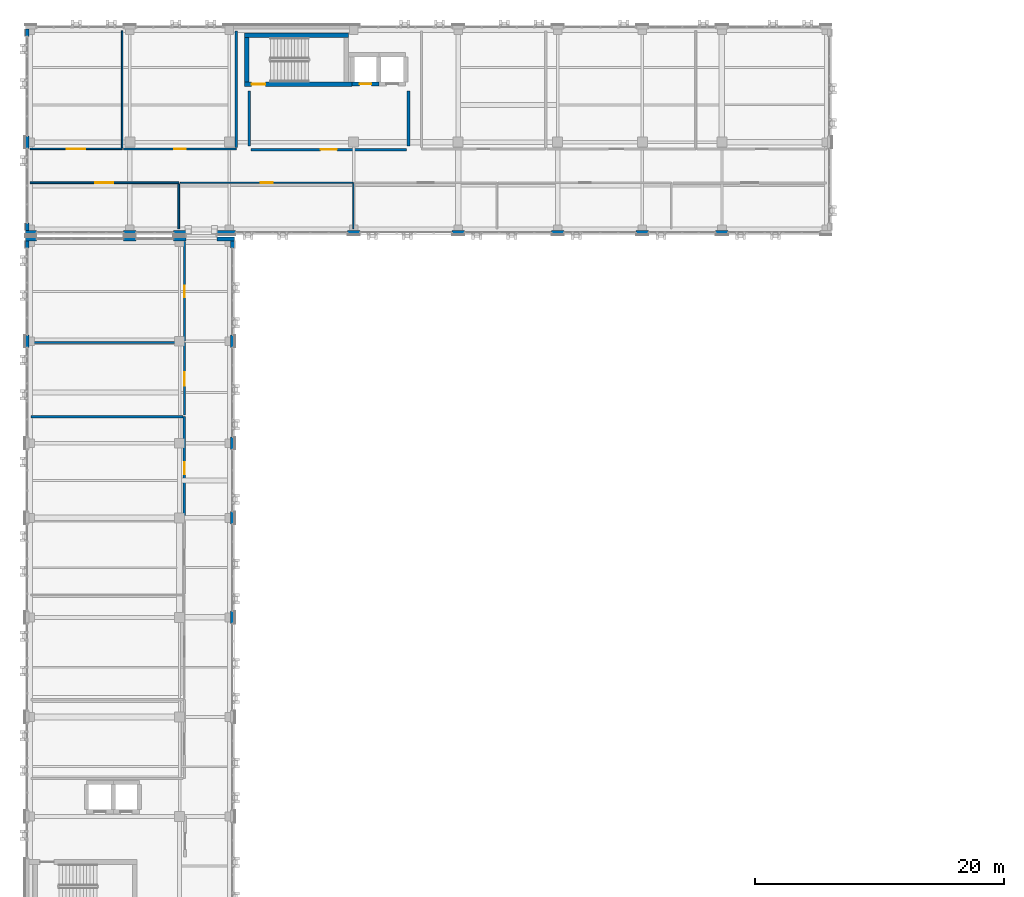
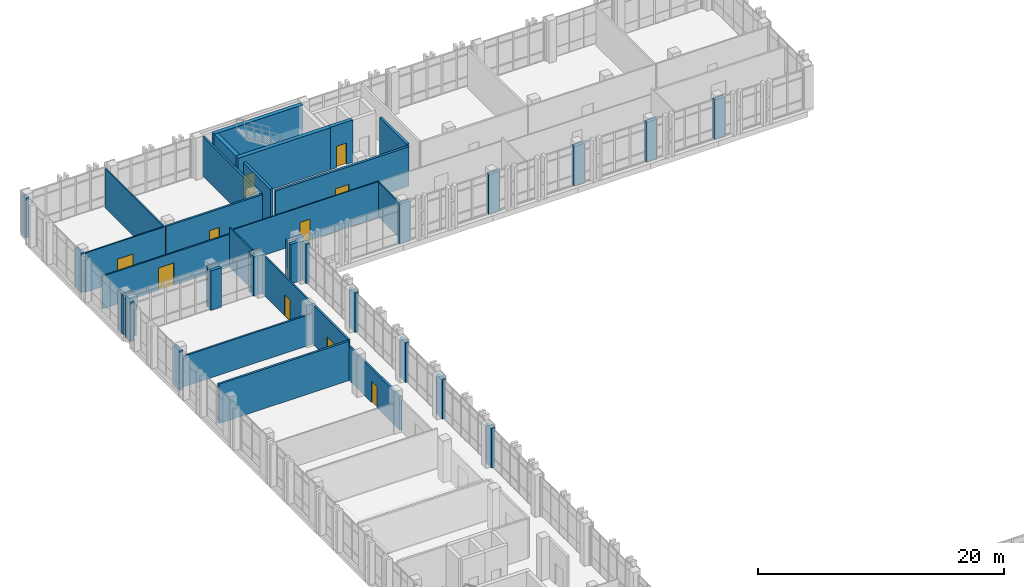
# One storey, part 159 of 193: 43 walls, 10 doors, 10 openings.
"""IFC4 building model written with IfcOpenShell, lengths in metres."""

from ifc_helpers import new_model, si_unit, direction, frame, frame_2d, origin, place, context, subcontext, project, spatial, rectangle, extrude, material, layer, layer_set, type_object, element, fill, save


model = new_model("IFC4")

# Units and contexts
model_context = context("Model", 3, precision=1e-05, world=origin(), true_north=direction((0.0, 1.0)))
body_context = subcontext(model_context, "Body", "Model", "MODEL_VIEW")
ifc_project = project(units=[si_unit("LENGTHUNIT", "METRE"), si_unit("AREAUNIT", "SQUARE_METRE"), si_unit("VOLUMEUNIT", "CUBIC_METRE"), si_unit("PLANEANGLEUNIT", "RADIAN"), si_unit("MASSUNIT", "GRAM", prefix="KILO")], contexts=[model_context])

# Site, building, storey
site_placement = place(None, origin())
site = spatial("IfcSite", under=ifc_project, at=site_placement, CompositionType="ELEMENT")
building_placement = place(site_placement, origin())
building = spatial("IfcBuilding", under=site, at=building_placement, Name="Qalavern Law Courts", CompositionType="ELEMENT")
storey_placement = place(building_placement, frame((0.0, 0.0, 10.199951171875)))
storey = spatial("IfcBuildingStorey", under=building, at=storey_placement, Name="L02", CompositionType="ELEMENT", Elevation=10.199951171875)

# Walls
ifc_material_1 = material(Name="Concrete C40/50", Category="concrete")
ifc_layer_1 = layer(ifc_material_1, 0.31005859375)
ifc_layer_set_1 = layer_set([ifc_layer_1], Name="Concrete C40/50")
wall_type_1 = type_object("IfcWallType", Name="ENV-EW-310", PredefinedType="SOLIDWALL", material=ifc_layer_set_1)
for number, where, z_axis, x_axis, name in (
    (1, (18.64501953125, 64.89990234375, 0.0), (0.0, 0.0, 1.0), (0.0, 1.0, 0.0), "V3 exterior pier wall L02 east 4"),
    (2, (18.64501953125, 72.89990234375, 0.0), (0.0, 0.0, 1.0), (0.0, 1.0, 0.0), "V3 exterior pier wall L02 east 5"),
    (3, (18.64501953125, 78.89990234375, 0.0), (0.0, 0.0, 1.0), (0.0, 1.0, 0.0), "V3 exterior pier wall L02 east 6"),
    (4, (18.64501953125, 87.10009765625, 0.0), (0.0, 0.0, 1.0), (0.0, 1.0, 0.0), "V3 exterior pier wall L02 east 7"),
):
    element("IfcWall", number, at=place(storey_placement, frame(where, z_axis=z_axis, x_axis=x_axis)), inside=storey, type_object=wall_type_1, Name=name, PredefinedType="SOLIDWALL", context=body_context, shape_type="SweptSolid", body=[
        extrude(rectangle(XDim=1.0, YDim=0.31005859375, at=frame_2d((0.5, 0.0))), origin(), (0.0, 0.0, 1.0), 3.9150390625),
    ])
wall_1_placement = place(storey_placement, frame((18.64501953125, 95.080078125, 0.0), z_axis=(0.0, 0.0, 1.0), x_axis=(0.0, 1.0, 0.0)))
element("IfcWall", 5, at=wall_1_placement, inside=storey, type_object=wall_type_1, Name="V3 exterior pier wall L02 east 8", PredefinedType="SOLIDWALL", context=body_context, shape_type="SweptSolid", body=[
    extrude(rectangle(XDim=0.594970703125, YDim=0.31005859375, at=frame_2d((0.29736328125, 0.0))), origin(), (0.0, 0.0, 1.0), 3.9150390625),
])
wall_2_placement = place(storey_placement, frame((18.800048828125, 95.824951171875, 0.0), z_axis=(0.0, 0.0, 1.0), x_axis=(-1.0, 0.0, 0.0)))
element("IfcWall", 6, at=wall_2_placement, inside=storey, type_object=wall_type_1, Name="V3 exterior wall L02 north 1", PredefinedType="SOLIDWALL", context=body_context, shape_type="SweptSolid", body=[
    extrude(rectangle(XDim=1.400146484375, YDim=0.31005859375, at=frame_2d((0.7001953125, 0.0))), origin(), (0.0, 0.0, 1.0), 3.9150390625),
])
for number, where, z_axis, x_axis, name in (
    (7, (14.89990234375, 95.824951171875, 0.0), (0.0, 0.0, 1.0), (-1.0, 0.0, 0.0), "V3 exterior pier wall L02 north 1"),
    (8, (10.89990234375, 95.824951171875, 0.0), (0.0, 0.0, 1.0), (-1.0, 0.0, 0.0), "V3 exterior pier wall L02 north 2"),
):
    element("IfcWall", number, at=place(storey_placement, frame(where, z_axis=z_axis, x_axis=x_axis)), inside=storey, type_object=wall_type_1, Name=name, PredefinedType="SOLIDWALL", context=body_context, shape_type="SweptSolid", body=[
        extrude(rectangle(XDim=1.0, YDim=0.31005859375, at=frame_2d((0.5, 0.0))), origin(), (0.0, 0.0, 1.0), 3.9150390625),
    ])
wall_3_placement = place(storey_placement, frame((2.89990234375, 95.824951171875, 0.0), z_axis=(0.0, 0.0, 1.0), x_axis=(-1.0, 0.0, 0.0)))
element("IfcWall", 9, at=wall_3_placement, inside=storey, type_object=wall_type_1, Name="V3 exterior pier wall L02 north 3", PredefinedType="SOLIDWALL", context=body_context, shape_type="SweptSolid", body=[
    extrude(rectangle(XDim=0.89990234375, YDim=0.31005859375, at=frame_2d((0.449951171875, 0.0))), origin(), (0.0, 0.0, 1.0), 3.9150390625),
])
wall_4_placement = place(storey_placement, frame((2.155029296875, 95.675048828125, 0.0), z_axis=(0.0, 0.0, 1.0), x_axis=(0.0, -1.0, 0.0)))
element("IfcWall", 10, at=wall_4_placement, inside=storey, type_object=wall_type_1, Name="V3 exterior pier wall L02 west 1", PredefinedType="SOLIDWALL", context=body_context, shape_type="SweptSolid", body=[
    extrude(rectangle(XDim=0.594970703125, YDim=0.31005859375, at=frame_2d((0.29736328125, 0.0))), origin(), (0.0, 0.0, 1.0), 3.9150390625),
])
wall_5_placement = place(storey_placement, frame((2.155029296875, 88.10009765625, 0.0), z_axis=(0.0, 0.0, 1.0), x_axis=(0.0, -1.0, 0.0)))
element("IfcWall", 11, at=wall_5_placement, inside=storey, type_object=wall_type_1, Name="V3 exterior pier wall L02 west 2", PredefinedType="SOLIDWALL", context=body_context, shape_type="SweptSolid", body=[
    extrude(rectangle(XDim=1.0, YDim=0.31005859375, at=frame_2d((0.5, 0.0))), origin(), (0.0, 0.0, 1.0), 3.9150390625),
])
wall_6_placement = place(storey_placement, frame((2.0, 96.35498046875, 0.0), z_axis=(0.0, 0.0, 1.0), x_axis=(1.0, 0.0, 0.0)))
element("IfcWall", 12, at=wall_6_placement, inside=storey, type_object=wall_type_1, Name="V5 exterior pier wall L02 south 1", PredefinedType="SOLIDWALL", context=body_context, shape_type="SweptSolid", body=[
    extrude(rectangle(XDim=0.89990234375, YDim=0.31005859375, at=frame_2d((0.449951171875, 0.0))), origin(), (0.0, 0.0, 1.0), 3.9150390625),
])
for number, where, z_axis, x_axis, name in (
    (13, (9.89990234375, 96.35498046875, 0.0), (0.0, 0.0, 1.0), (1.0, 0.0, 0.0), "V5 exterior pier wall L02 south 2"),
    (14, (13.89990234375, 96.35498046875, 0.0), (0.0, 0.0, 1.0), (1.0, 0.0, 0.0), "V5 exterior pier wall L02 south 3"),
):
    element("IfcWall", number, at=place(storey_placement, frame(where, z_axis=z_axis, x_axis=x_axis)), inside=storey, type_object=wall_type_1, Name=name, PredefinedType="SOLIDWALL", context=body_context, shape_type="SweptSolid", body=[
        extrude(rectangle(XDim=1.0, YDim=0.31005859375, at=frame_2d((0.5, 0.0))), origin(), (0.0, 0.0, 1.0), 3.9150390625),
    ])
wall_7_placement = place(storey_placement, frame((17.39990234375, 96.35498046875, 0.0), z_axis=(0.0, 0.0, 1.0), x_axis=(1.0, 0.0, 0.0)))
element("IfcWall", 15, at=wall_7_placement, inside=storey, type_object=wall_type_1, Name="V5 exterior pier wall L02 south 1", PredefinedType="SOLIDWALL", context=body_context, shape_type="SweptSolid", body=[
    extrude(rectangle(XDim=1.5, YDim=0.31005859375, at=frame_2d((0.75, 0.0))), origin(), (0.0, 0.0, 1.0), 3.9150390625),
])
for number, where, z_axis, x_axis, name in (
    (16, (27.89990234375, 96.35498046875, 0.0), (0.0, 0.0, 1.0), (1.0, 0.0, 0.0), "V5 exterior pier wall L02 south 2"),
    (17, (36.300048828125, 96.35498046875, 0.0), (0.0, 0.0, 1.0), (1.0, 0.0, 0.0), "V5 exterior pier wall L02 south 3"),
    (18, (44.300048828125, 96.35498046875, 0.0), (0.0, 0.0, 1.0), (1.0, 0.0, 0.0), "V5 exterior pier wall L02 south 4"),
    (19, (51.10009765625, 96.35498046875, 0.0), (0.0, 0.0, 1.0), (1.0, 0.0, 0.0), "V5 exterior pier wall L02 south 5"),
    (20, (57.5, 96.35498046875, 0.0), (0.0, 0.0, 1.0), (1.0, 0.0, 0.0), "V5 exterior pier wall L02 south 6"),
):
    element("IfcWall", number, at=place(storey_placement, frame(where, z_axis=z_axis, x_axis=x_axis)), inside=storey, type_object=wall_type_1, Name=name, PredefinedType="SOLIDWALL", context=body_context, shape_type="SweptSolid", body=[
        extrude(rectangle(XDim=1.0, YDim=0.31005859375, at=frame_2d((0.5, 0.0))), origin(), (0.0, 0.0, 1.0), 3.9150390625),
    ])
wall_8_placement = place(storey_placement, frame((2.155029296875, 112.695068359375, 0.0), z_axis=(0.0, 0.0, 1.0), x_axis=(0.0, -1.0, 0.0)))
element("IfcWall", 21, at=wall_8_placement, inside=storey, type_object=wall_type_1, Name="V5 exterior pier wall L02 west 1", PredefinedType="SOLIDWALL", context=body_context, shape_type="SweptSolid", body=[
    extrude(rectangle(XDim=0.594970703125, YDim=0.31005859375, at=frame_2d((0.29736328125, 0.0))), origin(), (0.0, 0.0, 1.0), 3.9150390625),
])
wall_9_placement = place(storey_placement, frame((2.155029296875, 104.10009765625, 0.0), z_axis=(0.0, 0.0, 1.0), x_axis=(0.0, -1.0, 0.0)))
element("IfcWall", 22, at=wall_9_placement, inside=storey, type_object=wall_type_1, Name="V5 exterior pier wall L02 west 2", PredefinedType="SOLIDWALL", context=body_context, shape_type="SweptSolid", body=[
    extrude(rectangle(XDim=1.0, YDim=0.31005859375, at=frame_2d((0.5, 0.0))), origin(), (0.0, 0.0, 1.0), 3.9150390625),
])
wall_10_placement = place(storey_placement, frame((2.155029296875, 97.10009765625, 0.0), z_axis=(0.0, 0.0, 1.0), x_axis=(0.0, -1.0, 0.0)))
element("IfcWall", 23, at=wall_10_placement, inside=storey, type_object=wall_type_1, Name="V5 exterior pier wall L02 west 3", PredefinedType="SOLIDWALL", context=body_context, shape_type="SweptSolid", body=[
    extrude(rectangle(XDim=0.59521484375, YDim=0.31005859375, at=frame_2d((0.297607421875, 0.0))), origin(), (0.0, 0.0, 1.0), 3.9150390625),
])

# Wall, opening, door
ifc_material_2 = material(Name="Concrete C45/55", Category="concrete")
ifc_layer_2 = layer(ifc_material_2, 0.375)
ifc_layer_set_2 = layer_set([ifc_layer_2], Name="Concrete C45/55")
wall_type_2 = type_object("IfcWallType", Name="INT-CW-375", PredefinedType="SHEAR", material=ifc_layer_set_2)
wall_11_placement = place(storey_placement, frame((19.625, 108.262451171875, 0.0), z_axis=(0.0, 0.0, 1.0), x_axis=(1.0, 0.0, 0.0)))
wall_11 = element("IfcWall", 24, at=wall_11_placement, inside=storey, type_object=wall_type_2, Name="Core K3 stair shear wall L02 south", PredefinedType="SHEAR", context=body_context, shape_type="SweptSolid", body=[
    extrude(rectangle(XDim=8.6494140625, YDim=0.375, at=frame_2d((4.32470703125, 0.0))), origin(), (0.0, 0.0, 1.0), 4.199951171875),
])
opening_1_placement = place(wall_11_placement, frame((0.574951171875, 0.0, 0.0)))
opening_1 = element("IfcOpeningElement", 25, at=opening_1_placement, cuts=wall_11, Name="Opening L02-D077", PredefinedType="OPENING", context=body_context, shape_type="SweptSolid", body=[
    extrude(rectangle(XDim=1.10009765625, YDim=2.14990234375, at=frame_2d((0.550048828125, 1.074951171875))), frame((0.0, 0.202392578125, 0.0), z_axis=(0.0, -1.0, 0.0), x_axis=(1.0, 0.0, 0.0)), (0.0, 0.0, 1.0), 0.40478515625),
])
ifc_material_3 = material(Name="Steel fire-rated stair enclosure door", Category="steel")
door_type_1 = type_object("IfcDoorType", Name="INT-FD-1100x2150", OperationType="NOTDEFINED", PredefinedType="DOOR", material=ifc_material_3)
door_1_placement = place(opening_1_placement, frame((1.10009765625, 0.0, 0.0), z_axis=(0.0, 0.0, 1.0), x_axis=(-1.0, 0.0, 0.0)))
door_1 = element("IfcDoor", 26, at=door_1_placement, inside=storey, type_object=door_type_1, Name="Stair K3 fire door L02", OperationType="SINGLE_SWING_LEFT", OverallHeight=2.14990234375, OverallWidth=1.10009765625, PredefinedType="DOOR", context=body_context, shape_type="SweptSolid", body=[
    extrude(rectangle(XDim=1.10009765625, YDim=2.14990234375, at=frame_2d((0.550048828125, 1.074951171875))), frame((0.0, 0.02490234375, 0.0), z_axis=(0.0, -1.0, 0.0), x_axis=(1.0, 0.0, 0.0)), (0.0, 0.0, 1.0), 0.050048828125),
])
fill(opening_1, door_1)

# Walls
wall_12_placement = place(storey_placement, frame((27.97509765625, 112.1875, 0.0), z_axis=(0.0, 0.0, 1.0), x_axis=(-1.0, 0.0, 0.0)))
element("IfcWall", 27, at=wall_12_placement, inside=storey, type_object=wall_type_2, Name="Core K3 stair shear wall L02 north", PredefinedType="SHEAR", context=body_context, shape_type="SweptSolid", body=[
    extrude(rectangle(XDim=8.35009765625, YDim=0.375, at=frame_2d((4.175048828125, 0.0))), origin(), (0.0, 0.0, 1.0), 4.199951171875),
])
wall_13_placement = place(storey_placement, frame((19.8125, 112.0, 0.0), z_axis=(0.0, 0.0, 1.0), x_axis=(0.0, -1.0, 0.0)))
element("IfcWall", 28, at=wall_13_placement, inside=storey, type_object=wall_type_2, Name="Core K3 stair shear wall L02 west", PredefinedType="SHEAR", context=body_context, shape_type="SweptSolid", body=[
    extrude(rectangle(XDim=3.550048828125, YDim=0.375, at=frame_2d((1.77490234375, 0.0))), origin(), (0.0, 0.0, 1.0), 4.199951171875),
])

# Wall, opening, door
ifc_layer_3 = layer(ifc_material_1, 0.22509765625)
ifc_layer_set_3 = layer_set([ifc_layer_3], Name="Concrete C40/50")
wall_type_3 = type_object("IfcWallType", Name="INT-FW-225", PredefinedType="PARTITIONING", material=ifc_layer_set_3)
wall_14_placement = place(storey_placement, frame((20.14990234375, 103.0, 0.0), z_axis=(0.0, 0.0, 1.0), x_axis=(1.0, 0.0, 0.0)))
wall_14 = element("IfcWall", 29, at=wall_14_placement, inside=storey, type_object=wall_type_3, Name="Core K3 firefighting/stair lobby fire wall L02", PredefinedType="PARTITIONING", context=body_context, shape_type="SweptSolid", body=[
    extrude(rectangle(XDim=12.5, YDim=0.22509765625, at=frame_2d((6.25, 0.0))), origin(), (0.0, 0.0, 1.0), 3.9150390625),
])
opening_2_placement = place(wall_14_placement, frame((5.60009765625, 0.0, 0.0)))
opening_2 = element("IfcOpeningElement", 30, at=opening_2_placement, cuts=wall_14, Name="Opening L02-D078", PredefinedType="OPENING", context=body_context, shape_type="SweptSolid", body=[
    extrude(rectangle(XDim=1.300048828125, YDim=2.14990234375, at=frame_2d((0.64990234375, 1.074951171875))), frame((0.0, 0.12744140625, 0.0), z_axis=(0.0, -1.0, 0.0), x_axis=(1.0, 0.0, 0.0)), (0.0, 0.0, 1.0), 0.2548828125),
])
ifc_material_4 = material(Name="Steel fire-rated frame and acoustic timber leaves", Category="steel")
door_type_2 = type_object("IfcDoorType", Name="INT-FD-1300x2150", OperationType="DOUBLE_DOOR_SINGLE_SWING", PredefinedType="DOOR", material=ifc_material_4)
door_2_placement = place(opening_2_placement, origin())
door_2 = element("IfcDoor", 31, at=door_2_placement, inside=storey, type_object=door_type_2, Name="Core K3 lobby fire door L02", OperationType="DOUBLE_DOOR_SINGLE_SWING", OverallHeight=2.14990234375, OverallWidth=1.300048828125, PredefinedType="DOOR", context=body_context, shape_type="SweptSolid", body=[
    extrude(rectangle(XDim=1.300048828125, YDim=2.14990234375, at=frame_2d((0.64990234375, 1.074951171875))), frame((0.0, 0.02490234375, 0.0), z_axis=(0.0, -1.0, 0.0), x_axis=(1.0, 0.0, 0.0)), (0.0, 0.0, 1.0), 0.050048828125),
])
fill(opening_2, door_2)

# Walls
for number, where, z_axis, x_axis, name in (
    (32, (20.0, 103.300048828125, 0.0), (0.0, 0.0, 1.0), (0.0, 1.0, 0.0), "Core K3 lobby return wall L02 west"),
    (33, (32.800048828125, 103.300048828125, 0.0), (0.0, 0.0, 1.0), (0.0, 1.0, 0.0), "Core K3 lobby return wall L02 east"),
):
    element("IfcWall", number, at=place(storey_placement, frame(where, z_axis=z_axis, x_axis=x_axis)), inside=storey, type_object=wall_type_3, Name=name, PredefinedType="PARTITIONING", context=body_context, shape_type="SweptSolid", body=[
        extrude(rectangle(XDim=4.39990234375, YDim=0.22509765625, at=frame_2d((2.199951171875, 0.0))), origin(), (0.0, 0.0, 1.0), 3.9150390625),
    ])

# Wall, opening, door
ifc_material_5 = material(Name="Gypsum shaft/chase partition")
ifc_layer_4 = layer(ifc_material_5, 0.092041015625)
ifc_layer_set_4 = layer_set([ifc_layer_4], Name="Gypsum shaft/chase partition")
wall_type_4 = type_object("IfcWallType", Name="INT-PW-092", PredefinedType="PARTITIONING", material=ifc_layer_set_4)
wall_15_placement = place(storey_placement, frame((14.458984375, 100.340087890625, 0.0), z_axis=(0.0, 0.0, 1.0), x_axis=(1.0, 0.0, 0.0)))
wall_15 = element("IfcWall", 34, at=wall_15_placement, inside=storey, type_object=wall_type_4, Name="Legal Periodicals Stack corridor partition L02", PredefinedType="PARTITIONING", context=body_context, shape_type="SweptSolid", body=[
    extrude(rectangle(XDim=13.902099609375, YDim=0.092041015625, at=frame_2d((6.951171875, 0.0))), origin(), (0.0, 0.0, 1.0), 3.56494140625),
])
opening_3_placement = place(wall_15_placement, frame((6.486083984375, 0.0, 0.0)))
opening_3 = element("IfcOpeningElement", 35, at=opening_3_placement, cuts=wall_15, Name="Opening L02-D360", PredefinedType="OPENING", context=body_context, shape_type="SweptSolid", body=[
    extrude(rectangle(XDim=0.929931640625, YDim=2.080078125, at=frame_2d((0.46484375, 1.0400390625))), frame((0.0, 0.06103515625, 0.0), z_axis=(0.0, -1.0, 0.0), x_axis=(1.0, 0.0, 0.0)), (0.0, 0.0, 1.0), 0.121826171875),
])
ifc_material_6 = material(Name="Steel Legal Archive Vault door", Category="steel")
door_type_3 = type_object("IfcDoorType", Name="INT-ID-930x2080", OperationType="NOTDEFINED", PredefinedType="DOOR", material=ifc_material_6)
door_3_placement = place(opening_3_placement, frame((0.929931640625, 0.0, 0.0), z_axis=(0.0, 0.0, 1.0), x_axis=(-1.0, 0.0, 0.0)))
door_3 = element("IfcDoor", 36, at=door_3_placement, inside=storey, type_object=door_type_3, Name="Legal Periodicals Stack door L02", OperationType="SINGLE_SWING_LEFT", OverallHeight=2.080078125, OverallWidth=0.929931640625, PredefinedType="DOOR", context=body_context, shape_type="SweptSolid", body=[
    extrude(rectangle(XDim=0.929931640625, YDim=2.080078125, at=frame_2d((0.46484375, 1.0400390625))), frame((0.0, 0.02490234375, 0.0), z_axis=(0.0, -1.0, 0.0), x_axis=(1.0, 0.0, 0.0)), (0.0, 0.0, 1.0), 0.050048828125),
])
fill(opening_3, door_3)

# Wall
wall_16_placement = place(storey_placement, frame((28.361083984375, 96.639892578125, 0.0), z_axis=(0.0, 0.0, 1.0), x_axis=(0.0, 1.0, 0.0)))
element("IfcWall", 37, at=wall_16_placement, inside=storey, type_object=wall_type_4, Name="Legal Periodicals Stack cross partition L02 east", PredefinedType="PARTITIONING", context=body_context, shape_type="SweptSolid", body=[
    extrude(rectangle(XDim=3.634033203125, YDim=0.092041015625, at=frame_2d((1.81689453125, 0.0))), origin(), (0.0, 0.0, 1.0), 3.4951171875),
])

# Wall, opening, door
ifc_material_7 = material(Name="Gypsum stud partition")
ifc_layer_5 = layer(ifc_material_7, 0.1220703125)
ifc_layer_set_5 = layer_set([ifc_layer_5], Name="Gypsum stud partition")
wall_type_5 = type_object("IfcWallType", Name="INT-PW-122", PredefinedType="PARTITIONING", material=ifc_layer_set_5)
wall_17_placement = place(storey_placement, frame((2.3798828125, 103.06005859375, 0.0), z_axis=(0.0, 0.0, 1.0), x_axis=(1.0, 0.0, 0.0)))
wall_17 = element("IfcWall", 38, at=wall_17_placement, inside=storey, type_object=wall_type_5, Name="Law Library Upper Reading Room corridor partition L02", PredefinedType="PARTITIONING", context=body_context, shape_type="SweptSolid", body=[
    extrude(rectangle(XDim=7.405029296875, YDim=0.1220703125, at=frame_2d((3.70263671875, 0.0))), origin(), (0.0, 0.0, 1.0), 3.9150390625),
])
opening_4_placement = place(wall_17_placement, frame((2.952392578125, 0.0, 0.0)))
opening_4 = element("IfcOpeningElement", 39, at=opening_4_placement, cuts=wall_17, Name="Opening L02-D367", PredefinedType="OPENING", context=body_context, shape_type="SweptSolid", body=[
    extrude(rectangle(XDim=1.5, YDim=2.25, at=frame_2d((0.75, 1.125))), frame((0.0, 0.075927734375, 0.0), z_axis=(0.0, -1.0, 0.0), x_axis=(1.0, 0.0, 0.0)), (0.0, 0.0, 1.0), 0.15185546875),
])
ifc_material_8 = material(Name="Acoustic oak double Jury Assembly door")
door_type_4 = type_object("IfcDoorType", Name="INT-ID-1500x2250", OperationType="DOUBLE_DOOR_SINGLE_SWING", PredefinedType="DOOR", material=ifc_material_8)
door_4_placement = place(opening_4_placement, origin())
door_4 = element("IfcDoor", 40, at=door_4_placement, inside=storey, type_object=door_type_4, Name="Law Library Upper Reading Room door L02", OperationType="DOUBLE_DOOR_SINGLE_SWING", OverallHeight=2.25, OverallWidth=1.5, PredefinedType="DOOR", context=body_context, shape_type="SweptSolid", body=[
    extrude(rectangle(XDim=1.5, YDim=2.25, at=frame_2d((0.75, 1.125))), frame((0.0, 0.02490234375, 0.0), z_axis=(0.0, -1.0, 0.0), x_axis=(1.0, 0.0, 0.0)), (0.0, 0.0, 1.0), 0.050048828125),
])
fill(opening_4, door_4)

# Wall
wall_18_placement = place(storey_placement, frame((9.784912109375, 103.14111328125, 0.0), z_axis=(0.0, 0.0, 1.0), x_axis=(0.0, 1.0, 0.0)))
element("IfcWall", 41, at=wall_18_placement, inside=storey, type_object=wall_type_5, Name="Law Library Upper Reading Room cross partition L02 east", PredefinedType="PARTITIONING", context=body_context, shape_type="SweptSolid", body=[
    extrude(rectangle(XDim=9.4189453125, YDim=0.1220703125, at=frame_2d((4.70947265625, 0.0))), origin(), (0.0, 0.0, 1.0), 3.9150390625),
])

# Wall, opening, door
ifc_layer_6 = layer(ifc_material_7, 0.132080078125)
ifc_layer_set_6 = layer_set([ifc_layer_6], Name="Gypsum stud partition")
wall_type_6 = type_object("IfcWallType", Name="INT-PW-132", PredefinedType="PARTITIONING", material=ifc_layer_set_6)
wall_19_placement = place(storey_placement, frame((2.3798828125, 100.340087890625, 0.0), z_axis=(0.0, 0.0, 1.0), x_axis=(1.0, 0.0, 0.0)))
wall_19 = element("IfcWall", 42, at=wall_19_placement, inside=storey, type_object=wall_type_6, Name="Law Library Upper Reading Room corridor partition L02", PredefinedType="PARTITIONING", context=body_context, shape_type="SweptSolid", body=[
    extrude(rectangle(XDim=11.959228515625, YDim=0.132080078125, at=frame_2d((5.9794921875, 0.0))), origin(), (0.0, 0.0, 1.0), 3.2451171875),
])
opening_5_placement = place(wall_19_placement, frame((5.25439453125, 0.0, 0.0)))
opening_5 = element("IfcOpeningElement", 43, at=opening_5_placement, cuts=wall_19, Name="Opening L02-D359", PredefinedType="OPENING", context=body_context, shape_type="SweptSolid", body=[
    extrude(rectangle(XDim=1.449951171875, YDim=2.219970703125, at=frame_2d((0.72509765625, 1.10986328125))), frame((0.0, 0.0810546875, 0.0), z_axis=(0.0, -1.0, 0.0), x_axis=(1.0, 0.0, 0.0)), (0.0, 0.0, 1.0), 0.161865234375),
])
ifc_material_9 = material(Name="Oak double Law Library Reading Room door")
door_type_5 = type_object("IfcDoorType", Name="INT-ID-1450x2220", OperationType="DOUBLE_DOOR_SINGLE_SWING", PredefinedType="DOOR", material=ifc_material_9)
door_5_placement = place(opening_5_placement, frame((1.449951171875, 0.0, 0.0), z_axis=(0.0, 0.0, 1.0), x_axis=(-1.0, 0.0, 0.0)))
door_5 = element("IfcDoor", 44, at=door_5_placement, inside=storey, type_object=door_type_5, Name="Law Library Upper Reading Room door L02", OperationType="DOUBLE_DOOR_SINGLE_SWING", OverallHeight=2.219970703125, OverallWidth=1.449951171875, PredefinedType="DOOR", context=body_context, shape_type="SweptSolid", body=[
    extrude(rectangle(XDim=1.449951171875, YDim=2.219970703125, at=frame_2d((0.72509765625, 1.10986328125))), frame((0.0, 0.02490234375, 0.0), z_axis=(0.0, -1.0, 0.0), x_axis=(1.0, 0.0, 0.0)), (0.0, 0.0, 1.0), 0.050048828125),
])
fill(opening_5, door_5)

# Wall
wall_20_placement = place(storey_placement, frame((14.339111328125, 96.639892578125, 0.0), z_axis=(0.0, 0.0, 1.0), x_axis=(0.0, 1.0, 0.0)))
element("IfcWall", 45, at=wall_20_placement, inside=storey, type_object=wall_type_6, Name="Law Library Upper Reading Room cross partition L02 east", PredefinedType="PARTITIONING", context=body_context, shape_type="SweptSolid", body=[
    extrude(rectangle(XDim=3.614013671875, YDim=0.132080078125, at=frame_2d((1.80712890625, 0.0))), origin(), (0.0, 0.0, 1.0), 3.9150390625),
])

# Wall, opening, door
ifc_layer_7 = layer(ifc_material_7, 0.152099609375)
ifc_layer_set_7 = layer_set([ifc_layer_7], Name="Gypsum stud partition")
wall_type_7 = type_object("IfcWallType", Name="INT-PW-152", PredefinedType="PARTITIONING", material=ifc_layer_set_7)
wall_21_placement = place(storey_placement, frame((14.7900390625, 87.60205078125, 0.0), z_axis=(0.0, 0.0, 1.0), x_axis=(0.0, 1.0, 0.0)))
wall_21 = element("IfcWall", 46, at=wall_21_placement, inside=storey, type_object=wall_type_7, Name="Accessible WC corridor partition L02", PredefinedType="PARTITIONING", context=body_context, shape_type="SweptSolid", body=[
    extrude(rectangle(XDim=7.998046875, YDim=0.152099609375, at=frame_2d((3.9990234375, 0.0))), origin(), (0.0, 0.0, 1.0), 3.9150390625),
])
opening_6_placement = place(wall_21_placement, frame((3.529052734375, 0.0, 0.0)))
opening_6 = element("IfcOpeningElement", 47, at=opening_6_placement, cuts=wall_21, Name="Opening L02-D221", PredefinedType="OPENING", context=body_context, shape_type="SweptSolid", body=[
    extrude(rectangle(XDim=0.93994140625, YDim=2.070068359375, at=frame_2d((0.469970703125, 1.03515625))), frame((0.0, 0.0908203125, 0.0), z_axis=(0.0, -1.0, 0.0), x_axis=(1.0, 0.0, 0.0)), (0.0, 0.0, 1.0), 0.181884765625),
])
ifc_material_10 = material(Name="Accessible WC outward-clear door")
door_type_6 = type_object("IfcDoorType", Name="INT-ID-940x2070", OperationType="NOTDEFINED", PredefinedType="DOOR", material=ifc_material_10)
door_6_placement = place(opening_6_placement, frame((0.93994140625, 0.0, 0.0), z_axis=(0.0, 0.0, 1.0), x_axis=(-1.0, 0.0, 0.0)))
door_6 = element("IfcDoor", 48, at=door_6_placement, inside=storey, type_object=door_type_6, Name="Accessible WC door L02", OperationType="SINGLE_SWING_LEFT", OverallHeight=2.070068359375, OverallWidth=0.93994140625, PredefinedType="DOOR", context=body_context, shape_type="SweptSolid", body=[
    extrude(rectangle(XDim=0.93994140625, YDim=2.070068359375, at=frame_2d((0.469970703125, 1.03515625))), frame((0.0, 0.02490234375, 0.0), z_axis=(0.0, -1.0, 0.0), x_axis=(1.0, 0.0, 0.0)), (0.0, 0.0, 1.0), 0.050048828125),
])
fill(opening_6, door_6)

ifc_layer_8 = layer(ifc_material_7, 0.162109375)
ifc_layer_set_8 = layer_set([ifc_layer_8], Name="Gypsum stud partition")
wall_type_8 = type_object("IfcWallType", Name="INT-PW-162", PredefinedType="PARTITIONING", material=ifc_layer_set_8)
wall_22_placement = place(storey_placement, frame((14.7900390625, 81.666015625, 0.0), z_axis=(0.0, 0.0, 1.0), x_axis=(0.0, 1.0, 0.0)))
wall_22 = element("IfcWall", 49, at=wall_22_placement, inside=storey, type_object=wall_type_8, Name="Counsel Interview Room corridor partition L02", PredefinedType="PARTITIONING", context=body_context, shape_type="SweptSolid", body=[
    extrude(rectangle(XDim=5.81591796875, YDim=0.162109375, at=frame_2d((2.907958984375, 0.0))), origin(), (0.0, 0.0, 1.0), 3.9150390625),
])
opening_7_placement = place(wall_22_placement, frame((2.363037109375, 0.0, 0.0)))
opening_7 = element("IfcOpeningElement", 50, at=opening_7_placement, cuts=wall_22, Name="Opening L02-D220", PredefinedType="OPENING", context=body_context, shape_type="SweptSolid", body=[
    extrude(rectangle(XDim=1.090087890625, YDim=2.1298828125, at=frame_2d((0.544921875, 1.06494140625))), frame((0.0, 0.095947265625, 0.0), z_axis=(0.0, -1.0, 0.0), x_axis=(1.0, 0.0, 0.0)), (0.0, 0.0, 1.0), 0.19189453125),
])
ifc_material_11 = material(Name="Solid oak Senior Judges' Chambers door")
door_type_7 = type_object("IfcDoorType", Name="INT-ID-1090x2130", OperationType="NOTDEFINED", PredefinedType="DOOR", material=ifc_material_11)
door_7_placement = place(opening_7_placement, frame((1.090087890625, 0.0, 0.0), z_axis=(0.0, 0.0, 1.0), x_axis=(-1.0, 0.0, 0.0)))
door_7 = element("IfcDoor", 51, at=door_7_placement, inside=storey, type_object=door_type_7, Name="Counsel Interview Room door L02", OperationType="SINGLE_SWING_RIGHT", OverallHeight=2.1298828125, OverallWidth=1.090087890625, PredefinedType="DOOR", context=body_context, shape_type="SweptSolid", body=[
    extrude(rectangle(XDim=1.090087890625, YDim=2.1298828125, at=frame_2d((0.544921875, 1.06494140625))), frame((0.0, 0.02490234375, 0.0), z_axis=(0.0, -1.0, 0.0), x_axis=(1.0, 0.0, 0.0)), (0.0, 0.0, 1.0), 0.050048828125),
])
fill(opening_7, door_7)

# Wall
wall_23_placement = place(storey_placement, frame((2.43994140625, 87.48193359375, 0.0), z_axis=(0.0, 0.0, 1.0), x_axis=(1.0, 0.0, 0.0)))
element("IfcWall", 52, at=wall_23_placement, inside=storey, type_object=wall_type_8, Name="Counsel Interview Room cross partition L02 north", PredefinedType="PARTITIONING", context=body_context, shape_type="SweptSolid", body=[
    extrude(rectangle(XDim=12.2490234375, YDim=0.162109375, at=frame_2d((6.12451171875, 0.0))), origin(), (0.0, 0.0, 1.0), 3.045166015625),
])

# Wall, opening, door
ifc_material_12 = material(Name="Gypsum acoustic stud partition")
ifc_layer_9 = layer(ifc_material_12, 0.18603515625)
ifc_layer_set_9 = layer_set([ifc_layer_9], Name="Gypsum acoustic stud partition")
wall_type_9 = type_object("IfcWallType", Name="INT-PW-186", PredefinedType="PARTITIONING", material=ifc_layer_set_9)
wall_24_placement = place(storey_placement, frame((9.905029296875, 103.06005859375, 0.0), z_axis=(0.0, 0.0, 1.0), x_axis=(1.0, 0.0, 0.0)))
wall_24 = element("IfcWall", 53, at=wall_24_placement, inside=storey, type_object=wall_type_9, Name="Legal Periodicals Stack corridor partition L02", PredefinedType="PARTITIONING", context=body_context, shape_type="SweptSolid", body=[
    extrude(rectangle(XDim=9.054931640625, YDim=0.18603515625, at=frame_2d((4.52734375, 0.0))), origin(), (0.0, 0.0, 1.0), 3.9150390625),
])
opening_8_placement = place(wall_24_placement, frame((4.0625, 0.0, 0.0)))
opening_8 = element("IfcOpeningElement", 54, at=opening_8_placement, cuts=wall_24, Name="Opening L02-D368", PredefinedType="OPENING", context=body_context, shape_type="SweptSolid", body=[
    extrude(rectangle(XDim=0.929931640625, YDim=2.080078125, at=frame_2d((0.46484375, 1.0400390625))), frame((0.0, 0.10791015625, 0.0), z_axis=(0.0, -1.0, 0.0), x_axis=(1.0, 0.0, 0.0)), (0.0, 0.0, 1.0), 0.2158203125),
])
door_8_placement = place(opening_8_placement, origin())
door_8 = element("IfcDoor", 55, at=door_8_placement, inside=storey, type_object=door_type_3, Name="Legal Periodicals Stack door L02", OperationType="SINGLE_SWING_LEFT", OverallHeight=2.080078125, OverallWidth=0.929931640625, PredefinedType="DOOR", context=body_context, shape_type="SweptSolid", body=[
    extrude(rectangle(XDim=0.929931640625, YDim=2.080078125, at=frame_2d((0.46484375, 1.0400390625))), frame((0.0, 0.02490234375, 0.0), z_axis=(0.0, -1.0, 0.0), x_axis=(1.0, 0.0, 0.0)), (0.0, 0.0, 1.0), 0.050048828125),
])
fill(opening_8, door_8)

# Wall
wall_25_placement = place(storey_placement, frame((18.9599609375, 103.173095703125, 0.0), z_axis=(0.0, 0.0, 1.0), x_axis=(0.0, 1.0, 0.0)))
element("IfcWall", 56, at=wall_25_placement, inside=storey, type_object=wall_type_9, Name="Legal Periodicals Stack cross partition L02 east", PredefinedType="PARTITIONING", context=body_context, shape_type="SweptSolid", body=[
    extrude(rectangle(XDim=9.386962890625, YDim=0.18603515625, at=frame_2d((4.693359375, 0.0))), origin(), (0.0, 0.0, 1.0), 3.9150390625),
])

# Wall, opening, door
ifc_material_13 = material(Name="Gypsum acoustic double-stud partition")
ifc_layer_10 = layer(ifc_material_13, 0.197998046875)
ifc_layer_set_10 = layer_set([ifc_layer_10], Name="Gypsum acoustic double-stud partition")
wall_type_10 = type_object("IfcWallType", Name="INT-PW-198", PredefinedType="PARTITIONING", material=ifc_layer_set_10)
wall_26_placement = place(storey_placement, frame((14.7900390625, 73.2548828125, 0.0), z_axis=(0.0, 0.0, 1.0), x_axis=(0.0, 1.0, 0.0)))
wall_26 = element("IfcWall", 57, at=wall_26_placement, inside=storey, type_object=wall_type_10, Name="Custody Holding Cell corridor partition L02", PredefinedType="PARTITIONING", context=body_context, shape_type="SweptSolid", body=[
    extrude(rectangle(XDim=8.291015625, YDim=0.197998046875, at=frame_2d((4.1455078125, 0.0))), origin(), (0.0, 0.0, 1.0), 3.344970703125),
])
opening_9_placement = place(wall_26_placement, frame((3.67041015625, 0.0, 0.0)))
opening_9 = element("IfcOpeningElement", 58, at=opening_9_placement, cuts=wall_26, Name="Opening L02-D219", PredefinedType="OPENING", context=body_context, shape_type="SweptSolid", body=[
    extrude(rectangle(XDim=0.949951171875, YDim=2.1201171875, at=frame_2d((0.47509765625, 1.06005859375))), frame((0.0, 0.11376953125, 0.0), z_axis=(0.0, -1.0, 0.0), x_axis=(1.0, 0.0, 0.0)), (0.0, 0.0, 1.0), 0.227783203125),
])
ifc_material_14 = material(Name="Heavy steel Custody Holding Cell door", Category="steel")
door_type_8 = type_object("IfcDoorType", Name="INT-ID-950x2120", OperationType="NOTDEFINED", PredefinedType="DOOR", material=ifc_material_14)
door_9_placement = place(opening_9_placement, frame((0.949951171875, 0.0, 0.0), z_axis=(0.0, 0.0, 1.0), x_axis=(-1.0, 0.0, 0.0)))
door_9 = element("IfcDoor", 59, at=door_9_placement, inside=storey, type_object=door_type_8, Name="Custody Holding Cell door L02", OperationType="SINGLE_SWING_LEFT", OverallHeight=2.1201171875, OverallWidth=0.949951171875, PredefinedType="DOOR", context=body_context, shape_type="SweptSolid", body=[
    extrude(rectangle(XDim=0.949951171875, YDim=2.1201171875, at=frame_2d((0.47509765625, 1.06005859375))), frame((0.0, 0.02490234375, 0.0), z_axis=(0.0, -1.0, 0.0), x_axis=(1.0, 0.0, 0.0)), (0.0, 0.0, 1.0), 0.050048828125),
])
fill(opening_9, door_9)

# Wall
wall_27_placement = place(storey_placement, frame((2.43994140625, 81.5458984375, 0.0), z_axis=(0.0, 0.0, 1.0), x_axis=(1.0, 0.0, 0.0)))
element("IfcWall", 60, at=wall_27_placement, inside=storey, type_object=wall_type_10, Name="Custody Holding Cell cross partition L02 north", PredefinedType="PARTITIONING", context=body_context, shape_type="SweptSolid", body=[
    extrude(rectangle(XDim=12.23095703125, YDim=0.197998046875, at=frame_2d((6.115478515625, 0.0))), origin(), (0.0, 0.0, 1.0), 3.9150390625),
])

# Wall, opening, door
ifc_layer_11 = layer(ifc_material_2, 0.344970703125)
ifc_layer_set_11 = layer_set([ifc_layer_11], Name="Concrete C45/55")
wall_type_11 = type_object("IfcWallType", Name="INT-SW-345", PredefinedType="SHEAR", material=ifc_layer_set_11)
wall_28_placement = place(storey_placement, frame((28.277587890625, 108.277587890625, 0.0), z_axis=(0.0, 0.0, 1.0), x_axis=(1.0, 0.0, 0.0)))
wall_28 = element("IfcWall", 61, at=wall_28_placement, inside=storey, type_object=wall_type_11, Name="Lift LF-J1 shaft wall L02 south", PredefinedType="SHEAR", context=body_context, shape_type="SweptSolid", body=[
    extrude(rectangle(XDim=2.14501953125, YDim=0.344970703125, at=frame_2d((1.072509765625, 0.0))), origin(), (0.0, 0.0, 1.0), 4.199951171875),
])
opening_10_placement = place(wall_28_placement, frame((0.592529296875, 0.0, 0.0)))
opening_10 = element("IfcOpeningElement", 62, at=opening_10_placement, cuts=wall_28, Name="Opening LD-LF-J1-L02", PredefinedType="OPENING", context=body_context, shape_type="SweptSolid", body=[
    extrude(rectangle(XDim=0.9599609375, YDim=2.1201171875, at=frame_2d((0.47998046875, 1.06005859375))), frame((0.0, 0.1875, 0.0), z_axis=(0.0, -1.0, 0.0), x_axis=(1.0, 0.0, 0.0)), (0.0, 0.0, 1.0), 0.374755859375),
])
ifc_material_15 = material(Name="Heavy-gauge steel judicial lift sliding landing door", Category="steel")
door_type_9 = type_object("IfcDoorType", Name="INT-LD-960x2120", OperationType="SLIDING_TO_LEFT", PredefinedType="DOOR", material=ifc_material_15)
door_10_placement = place(opening_10_placement, origin())
door_10 = element("IfcDoor", 63, at=door_10_placement, inside=storey, type_object=door_type_9, Name="Lift LF-J1 sliding landing door L02", OperationType="SLIDING_TO_LEFT", OverallHeight=2.1201171875, OverallWidth=0.9599609375, PredefinedType="DOOR", context=body_context, shape_type="SweptSolid", body=[
    extrude(rectangle(XDim=0.9599609375, YDim=2.1201171875, at=frame_2d((0.47998046875, 1.06005859375))), frame((0.0, 0.02490234375, 0.0), z_axis=(0.0, -1.0, 0.0), x_axis=(1.0, 0.0, 0.0)), (0.0, 0.0, 1.0), 0.050048828125),
])
fill(opening_10, door_10)

save(model, "model.ifc")
